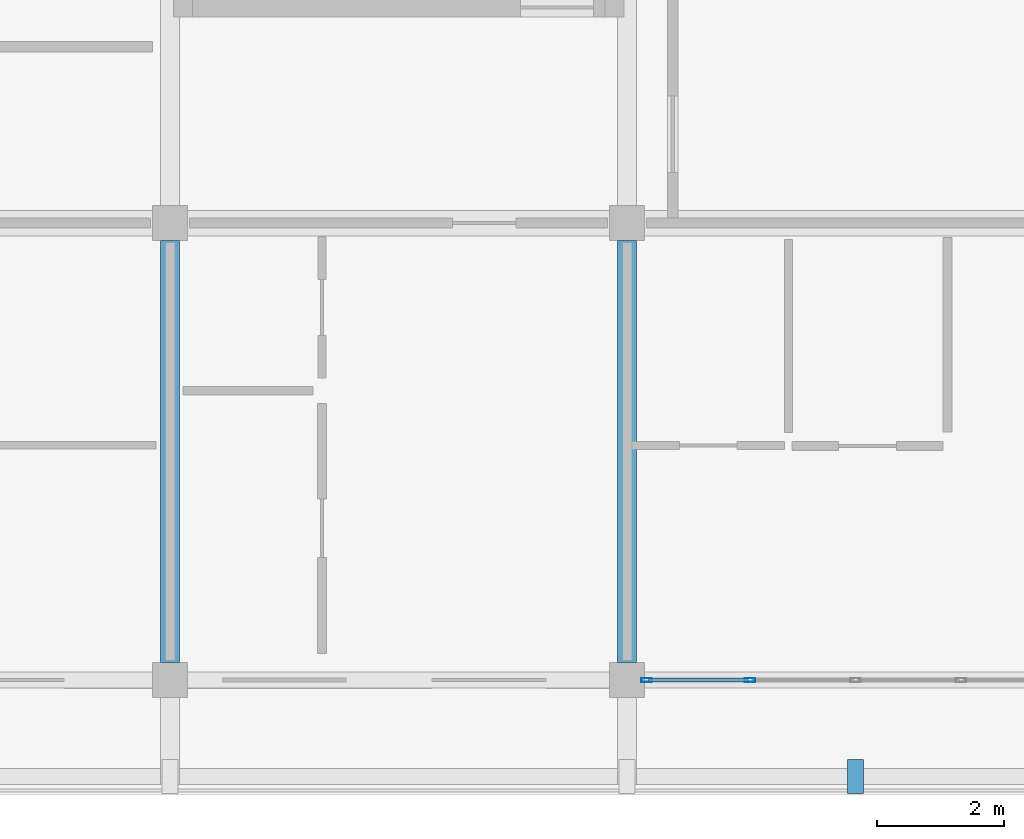
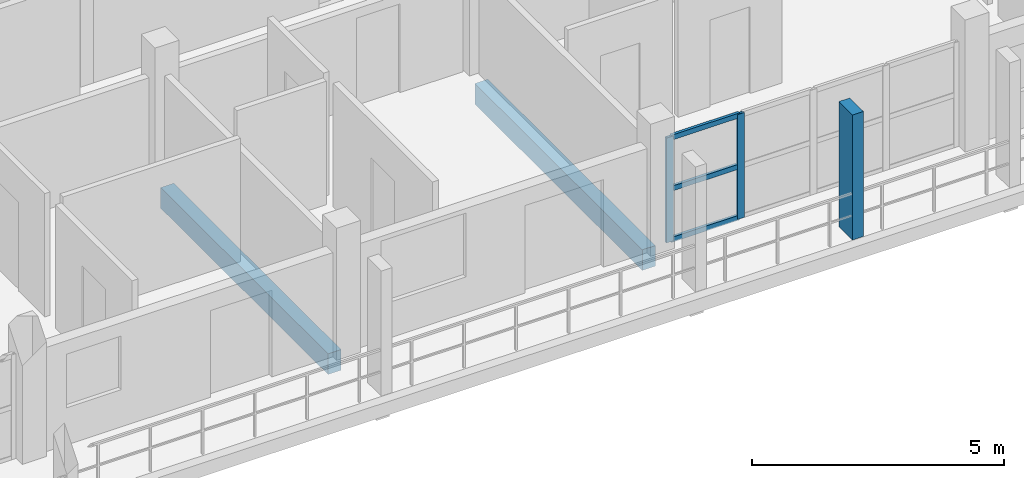
# One storey, part 21 of 67: 6 members, 2 beams, 1 element without a shape of its own.
"""IFC4 building model written with IfcOpenShell, lengths in metres."""

from ifc_helpers import new_model, si_unit, direction, frame, origin, origin_2d, place, context, subcontext, project, spatial, rectangle, hollow_rectangle, extrude, material, material_profile, profile_set, type_object, element, aggregate, save


model = new_model("IFC4")

# Units and contexts
model_context = context("Model", 3, precision=1e-05, world=origin(), true_north=direction((0.0, 1.0)))
body_context = subcontext(model_context, "Body", "Model", "MODEL_VIEW")
ifc_project = project(units=[si_unit("LENGTHUNIT", "METRE"), si_unit("AREAUNIT", "SQUARE_METRE"), si_unit("VOLUMEUNIT", "CUBIC_METRE"), si_unit("PLANEANGLEUNIT", "RADIAN"), si_unit("MASSUNIT", "GRAM", prefix="KILO")], contexts=[model_context])

# Site, building, storey
site_placement = place(None, origin())
site = spatial("IfcSite", under=ifc_project, at=site_placement, CompositionType="ELEMENT")
building_placement = place(site_placement, origin())
building = spatial("IfcBuilding", under=site, at=building_placement, Name="Suanplinth Sawtooth Commons", CompositionType="ELEMENT")
storey_placement = place(building_placement, frame((0.0, 0.0, 25.10009765625)))
storey = spatial("IfcBuildingStorey", under=building, at=storey_placement, Name="L07", CompositionType="ELEMENT", Elevation=25.10009765625)

# Beams
ifc_material_1 = material(Name="Precast concrete C40/50", Category="concrete")
ifc_material_profile_1 = material_profile(ifc_material_1, rectangle(XDim=0.300048828125, YDim=0.5, at=origin_2d()), Name="PC-BM 300x500")
ifc_profile_set_1 = profile_set([ifc_material_profile_1], Name="Precast concrete C40/50")
beam_type = type_object("IfcBeamType", Name="B-07", PredefinedType="BEAM", material=ifc_profile_set_1)
for number, where, z_axis, x_axis, name in (
    (1, (158.39990234375, 0.27490234375, -0.47021484375), (0.0, 1.0, 0.0), (-1.0, 0.0, 0.0), "BMY-L07-C-22-0"),
    (2, (165.60009765625, 0.27490234375, -0.47021484375), (0.0, 1.0, 0.0), (-1.0, 0.0, 0.0), "BMY-L07-C-23-0"),
):
    element("IfcBeam", number, at=place(storey_placement, frame(where, z_axis=z_axis, x_axis=x_axis)), inside=storey, type_object=beam_type, Name=name, PredefinedType="BEAM", context=body_context, shape_type="SweptSolid", body=[
        extrude(rectangle(XDim=0.300048828125, YDim=0.5, at=origin_2d()), origin(), (0.0, 0.0, 1.0), 6.650146484375),
    ])

# Member
ifc_material_2 = material(Name="Pigmented precast concrete C40/50", Category="concrete")
ifc_material_profile_2 = material_profile(ifc_material_2, rectangle(XDim=0.25, YDim=0.5400390625, at=origin_2d()), Name="PC-FIN 250x540")
ifc_profile_set_2 = profile_set([ifc_material_profile_2], Name="Pigmented precast concrete C40/50")
member_type_1 = type_object("IfcMemberType", Name="M-11", PredefinedType="USERDEFINED", material=ifc_profile_set_2)
member_1_placement = place(storey_placement, frame((169.199951171875, -1.52001953125, 0.0), z_axis=(0.0, 0.0, 1.0), x_axis=(1.0, 0.0, 0.0)))
element("IfcMember", 3, at=member_1_placement, inside=storey, type_object=member_type_1, Name="Upright Solar Blade L07-C-S-05", ObjectType="SHADING FIN", PredefinedType="USERDEFINED", context=body_context, shape_type="SweptSolid", body=[
    extrude(rectangle(XDim=0.25, YDim=0.5400390625, at=origin_2d()), origin(), (0.0, 0.0, 1.0), 3.02978515625),
])

# Curtain wall, members
ifc_material_3 = material(Name="Anodized aluminium and low-E glazing", Category="aluminium")
curtain_wall_type = type_object("IfcCurtainWallType", Name="CW-06", PredefinedType="USERDEFINED", material=ifc_material_3)
curtain_wall_placement = place(storey_placement, origin())
curtain_wall = element("IfcCurtainWall", 4, at=curtain_wall_placement, inside=storey, type_object=curtain_wall_type, Name="Curtain Wall CW-L07-C-LOUNGE-23", ObjectType="CURTAIN WALL", PredefinedType="USERDEFINED")
ifc_material_4 = material(Name="Anodized aluminium 6063-T6", Category="aluminium")
ifc_material_profile_3 = material_profile(ifc_material_4, hollow_rectangle(XDim=0.06494140625, YDim=0.159912109375, WallThickness=0.00390625, at=origin_2d()), Name="ALU-MUL 65x160")
ifc_profile_set_3 = profile_set([ifc_material_profile_3], Name="Anodized aluminium 6063-T6")
member_type_2 = type_object("IfcMemberType", Name="M-13", PredefinedType="MULLION", material=ifc_profile_set_3)
member_2_placement = place(storey_placement, frame((165.907470703125, 0.0, 0.0), z_axis=(0.0, 0.0, 1.0), x_axis=(0.0, 1.0, 0.0)))
member_2 = element("IfcMember", 5, at=member_2_placement, type_object=member_type_2, Name="CW-06 mullion 1", PredefinedType="MULLION", context=body_context, shape_type="SweptSolid", body=[
    extrude(hollow_rectangle(XDim=0.06494140625, YDim=0.159912109375, WallThickness=0.00390625, at=origin_2d()), origin(), (0.0, 0.0, 1.0), 2.539794921875),
])
member_3_placement = place(storey_placement, frame((167.53759765625, 0.0, 0.0), z_axis=(0.0, 0.0, 1.0), x_axis=(0.0, 1.0, 0.0)))
member_3 = element("IfcMember", 6, at=member_3_placement, type_object=member_type_2, Name="CW-06 mullion 2", PredefinedType="MULLION", context=body_context, shape_type="SweptSolid", body=[
    extrude(hollow_rectangle(XDim=0.06494140625, YDim=0.159912109375, WallThickness=0.00390625, at=origin_2d()), origin(), (0.0, 0.0, 1.0), 2.539794921875),
])
ifc_material_profile_4 = material_profile(ifc_material_4, hollow_rectangle(XDim=0.06494140625, YDim=0.1201171875, WallThickness=0.00390625, at=origin_2d()), Name="ALU-TRN 65x120")
ifc_profile_set_4 = profile_set([ifc_material_profile_4], Name="Anodized aluminium 6063-T6")
member_type_3 = type_object("IfcMemberType", Name="M-15", PredefinedType="USERDEFINED", material=ifc_profile_set_4)
member_4_placement = place(storey_placement, frame((165.93994140625, 0.0, 0.032470703125), z_axis=(1.0, 0.0, 0.0), x_axis=(0.0, 1.0, 0.0)))
member_4 = element("IfcMember", 7, at=member_4_placement, type_object=member_type_3, Name="CW-06 transom 1.1", ObjectType="TRANSOM", PredefinedType="USERDEFINED", context=body_context, shape_type="SweptSolid", body=[
    extrude(hollow_rectangle(XDim=0.06494140625, YDim=0.1201171875, WallThickness=0.00390625, at=origin_2d()), origin(), (0.0, 0.0, 1.0), 1.56494140625),
])
member_5_placement = place(storey_placement, frame((165.93994140625, 0.0, 1.27001953125), z_axis=(1.0, 0.0, 0.0), x_axis=(0.0, 1.0, 0.0)))
member_5 = element("IfcMember", 8, at=member_5_placement, type_object=member_type_3, Name="CW-06 transom 1.2", ObjectType="TRANSOM", PredefinedType="USERDEFINED", context=body_context, shape_type="SweptSolid", body=[
    extrude(hollow_rectangle(XDim=0.06494140625, YDim=0.1201171875, WallThickness=0.00390625, at=origin_2d()), origin(), (0.0, 0.0, 1.0), 1.56494140625),
])
member_6_placement = place(storey_placement, frame((165.93994140625, 0.0, 2.50732421875), z_axis=(1.0, 0.0, 0.0), x_axis=(0.0, 1.0, 0.0)))
member_6 = element("IfcMember", 9, at=member_6_placement, type_object=member_type_3, Name="CW-06 transom 1.3", ObjectType="TRANSOM", PredefinedType="USERDEFINED", context=body_context, shape_type="SweptSolid", body=[
    extrude(hollow_rectangle(XDim=0.06494140625, YDim=0.1201171875, WallThickness=0.00390625, at=origin_2d()), origin(), (0.0, 0.0, 1.0), 1.56494140625),
])
aggregate(curtain_wall, [member_2, member_3, member_4, member_5, member_6])

save(model, "model.ifc")
